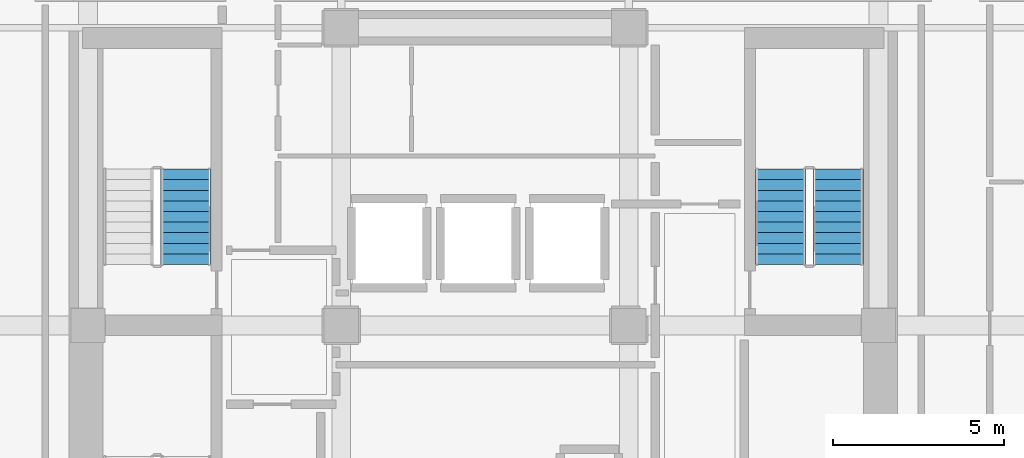
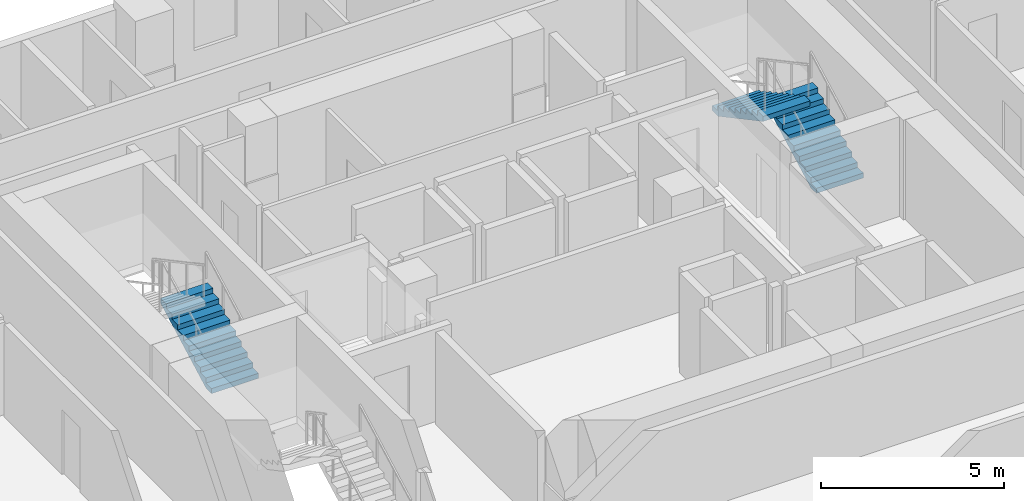
# One storey, part 7 of 11: 3 stair flights, 2 elements without a shape of their own.
"""IFC4 building model written with IfcOpenShell, lengths in metres."""

from ifc_helpers import new_model, si_unit, direction, frame, origin, place, context, subcontext, project, spatial, polyline, outline, extrude, material, type_object, element, aggregate, save


model = new_model("IFC4")

# Units and contexts
model_context = context("Model", 3, precision=1e-05, world=origin(), true_north=direction((0.0, 1.0)))
body_context = subcontext(model_context, "Body", "Model", "MODEL_VIEW")
ifc_project = project(units=[si_unit("LENGTHUNIT", "METRE"), si_unit("AREAUNIT", "SQUARE_METRE"), si_unit("VOLUMEUNIT", "CUBIC_METRE"), si_unit("PLANEANGLEUNIT", "RADIAN"), si_unit("MASSUNIT", "GRAM", prefix="KILO")], contexts=[model_context])

# Site, building, storey
site_placement = place(None, origin())
site = spatial("IfcSite", under=ifc_project, at=site_placement, CompositionType="ELEMENT")
building_placement = place(site_placement, origin())
building = spatial("IfcBuilding", under=site, at=building_placement, Name="Solanera Arch Residences", CompositionType="ELEMENT")
storey_placement = place(building_placement, frame((0.0, 0.0, 112.719970703125)))
storey = spatial("IfcBuildingStorey", under=building, at=storey_placement, Name="L32", CompositionType="ELEMENT", Elevation=112.719970703125)

# Stair, stair flight
ifc_material_1 = material(Name="Concrete C40/50 (f'c = 45 MPa)", Category="concrete")
stair_type = type_object("IfcStairType", Name="Tower Dogleg Exit Stair 1480", PredefinedType="HALF_TURN_STAIR", material=ifc_material_1)
stair_1_placement = place(storey_placement, origin())
stair_1 = element("IfcStair", 1, at=stair_1_placement, inside=storey, type_object=stair_type, Name="L32 Tower Core Exit Stair 1", PredefinedType="HALF_TURN_STAIR")
ifc_material_2 = material(Name="Concrete C40/50 (f'c = 45 MPa)", Category="concrete")
stair_flight_type = type_object("IfcStairFlightType", Name="Tower Precast Stair Flight 1480", PredefinedType="STRAIGHT", material=ifc_material_2)
stair_flight_1_placement = place(storey_placement, frame((16.260009765625, 32.47998046875, 0.0), z_axis=(0.0, 0.0, 1.0), x_axis=(0.0, 1.0, 0.0)))
stair_flight_1 = element("IfcStairFlight", 2, at=stair_flight_1_placement, type_object=stair_flight_type, Name="ST-T1 flight 1", NumberOfRisers=10, NumberOfTreads=9, PredefinedType="STRAIGHT", RiserHeight=0.166, TreadLength=0.31, context=body_context, shape_type="SweptSolid", body=[
    extrude(outline(polyline([(0.0, 0.0), (0.0, 0.166015625), (0.31005859375, 0.166015625), (0.31005859375, 0.33203125), (0.6201171875, 0.33203125), (0.6201171875, 0.498046875), (0.929931640625, 0.498046875), (0.929931640625, 0.6640625), (1.239990234375, 0.6640625), (1.239990234375, 0.830078125), (1.550048828125, 0.830078125), (1.550048828125, 0.99609375), (1.860107421875, 0.99609375), (1.860107421875, 1.162109375), (2.169921875, 1.162109375), (2.169921875, 1.327880859375), (2.47998046875, 1.327880859375), (2.47998046875, 1.493896484375), (2.7900390625, 1.493896484375), (2.7900390625, 1.659912109375), (2.7900390625, 1.323974609375), (0.317626953125, 0.0), (0.0, 0.0)])), frame((0.0, 0.739990234375, 0.0), z_axis=(0.0, -1.0, 0.0), x_axis=(1.0, 0.0, 0.0)), (0.0, 0.0, 1.0), 1.47998046875),
])
aggregate(stair_1, [stair_flight_1])

# Stair, stair flights
stair_2_placement = place(storey_placement, origin())
stair_2 = element("IfcStair", 3, at=stair_2_placement, inside=storey, type_object=stair_type, Name="L32 Tower Core Exit Stair 2", PredefinedType="HALF_TURN_STAIR")
stair_flight_2_placement = place(storey_placement, frame((35.320068359375, 32.47998046875, 0.0), z_axis=(0.0, 0.0, 1.0), x_axis=(0.0, 1.0, 0.0)))
stair_flight_2 = element("IfcStairFlight", 4, at=stair_flight_2_placement, type_object=stair_flight_type, Name="ST-T2 flight 1", NumberOfRisers=10, NumberOfTreads=9, PredefinedType="STRAIGHT", RiserHeight=0.166, TreadLength=0.31, context=body_context, shape_type="SweptSolid", body=[
    extrude(outline(polyline([(0.0, 0.0), (0.0, 0.166015625), (0.31005859375, 0.166015625), (0.31005859375, 0.33203125), (0.6201171875, 0.33203125), (0.6201171875, 0.498046875), (0.929931640625, 0.498046875), (0.929931640625, 0.6640625), (1.239990234375, 0.6640625), (1.239990234375, 0.830078125), (1.550048828125, 0.830078125), (1.550048828125, 0.99609375), (1.860107421875, 0.99609375), (1.860107421875, 1.162109375), (2.169921875, 1.162109375), (2.169921875, 1.327880859375), (2.47998046875, 1.327880859375), (2.47998046875, 1.493896484375), (2.7900390625, 1.493896484375), (2.7900390625, 1.659912109375), (2.7900390625, 1.323974609375), (0.317626953125, 0.0), (0.0, 0.0)])), frame((0.0, 0.739990234375, 0.0), z_axis=(0.0, -1.0, 0.0), x_axis=(1.0, 0.0, 0.0)), (0.0, 0.0, 1.0), 1.47998046875),
])
stair_flight_3_placement = place(storey_placement, frame((33.639892578125, 35.27001953125, 1.659912109375), z_axis=(0.0, 0.0, 1.0), x_axis=(0.0, -1.0, 0.0)))
stair_flight_3 = element("IfcStairFlight", 5, at=stair_flight_3_placement, type_object=stair_flight_type, Name="ST-T2 flight 2", NumberOfRisers=10, NumberOfTreads=9, PredefinedType="STRAIGHT", RiserHeight=0.166, TreadLength=0.31, context=body_context, shape_type="SweptSolid", body=[
    extrude(outline(polyline([(0.0, 0.0), (0.0, 0.166015625), (0.31005859375, 0.166015625), (0.31005859375, 0.33203125), (0.6201171875, 0.33203125), (0.6201171875, 0.498046875), (0.929931640625, 0.498046875), (0.929931640625, 0.6640625), (1.239990234375, 0.6640625), (1.239990234375, 0.830078125), (1.550048828125, 0.830078125), (1.550048828125, 0.99609375), (1.860107421875, 0.99609375), (1.860107421875, 1.162109375), (2.169921875, 1.162109375), (2.169921875, 1.327880859375), (2.47998046875, 1.327880859375), (2.47998046875, 1.493896484375), (2.7900390625, 1.493896484375), (2.7900390625, 1.659912109375), (2.7900390625, 1.323974609375), (0.317626953125, 0.0), (0.0, 0.0)])), frame((0.0, 0.739990234375, 0.0), z_axis=(0.0, -1.0, 0.0), x_axis=(1.0, 0.0, 0.0)), (0.0, 0.0, 1.0), 1.47998046875),
])
aggregate(stair_2, [stair_flight_2, stair_flight_3])

save(model, "model.ifc")
